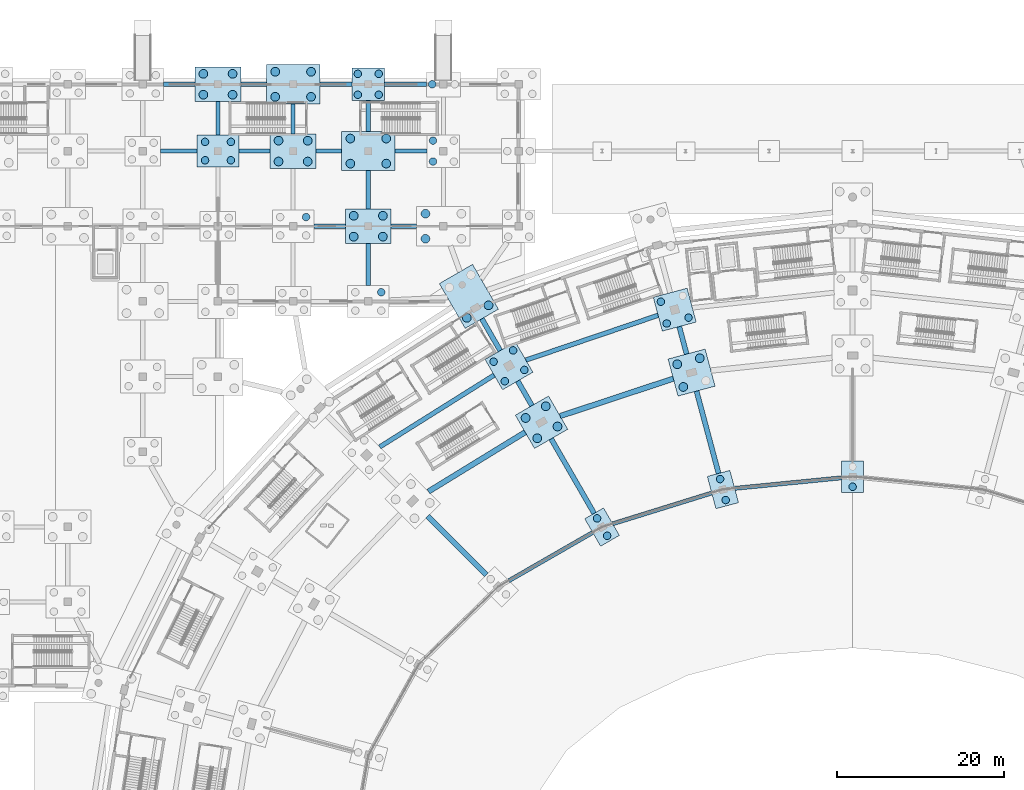
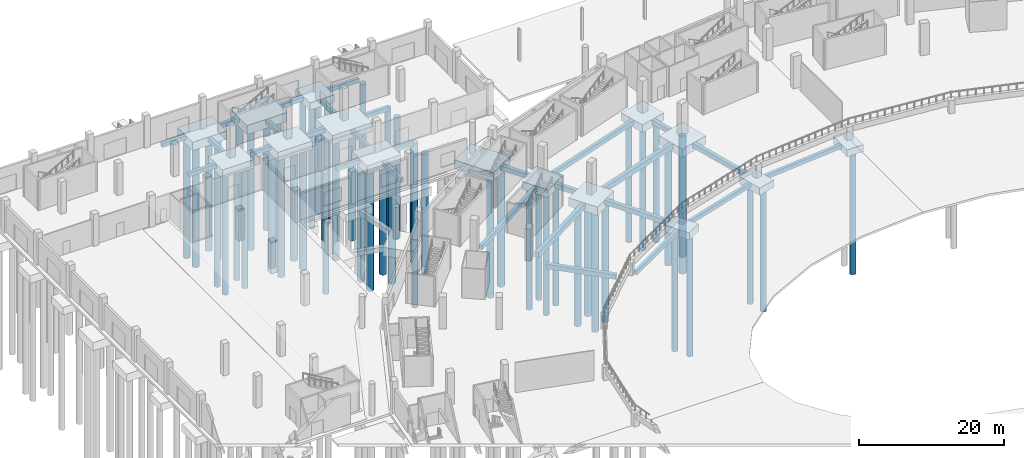
# One storey, part 11 of 103: 56 piles, 43 footings.
"""IFC4 building model written with IfcOpenShell, lengths in metres."""

from ifc_helpers import new_model, si_unit, direction, frame, origin, origin_2d, place, context, subcontext, project, spatial, rectangle, circle, extrude, material, material_profile, profile_set, type_object, element, save


model = new_model("IFC4")

# Units and contexts
model_context = context("Model", 3, precision=1e-05, world=origin(), true_north=direction((0.0, 1.0)))
body_context = subcontext(model_context, "Body", "Model", "MODEL_VIEW")
ifc_project = project(units=[si_unit("LENGTHUNIT", "METRE"), si_unit("AREAUNIT", "SQUARE_METRE"), si_unit("VOLUMEUNIT", "CUBIC_METRE"), si_unit("PLANEANGLEUNIT", "RADIAN"), si_unit("MASSUNIT", "GRAM", prefix="KILO")], contexts=[model_context])

# Site, building, storey
site_placement = place(None, origin())
site = spatial("IfcSite", under=ifc_project, at=site_placement, CompositionType="ELEMENT")
building_placement = place(site_placement, origin())
building = spatial("IfcBuilding", under=site, at=building_placement, Name="Zevraka Park Crest Stadium", CompositionType="ELEMENT")
storey_placement = place(building_placement, origin())
storey = spatial("IfcBuildingStorey", under=building, at=storey_placement, Name="L00", CompositionType="ELEMENT", Elevation=0.0)

# Footings
ifc_material_1 = material(Name="Concrete C35/45", Category="concrete")
ifc_material_profile_1 = material_profile(ifc_material_1, rectangle(XDim=0.60009765625, YDim=0.800048828125, at=origin_2d()), Name="GB 800x600")
ifc_profile_set_1 = profile_set([ifc_material_profile_1], Name="Concrete C35/45")
footing_type_1 = type_object("IfcFootingType", Name="GB01", PredefinedType="FOOTING_BEAM", material=ifc_profile_set_1)
footing_1_placement = place(storey_placement, frame((95.952880859375, 137.39892578125, -0.75), z_axis=(-0.258823026795, 0.965924759389, 0.0), x_axis=(-0.965924759389, -0.258823026795, 0.0)))
element("IfcFooting", 1, at=footing_1_placement, inside=storey, type_object=footing_type_1, Name="Ground Tie Beam GB01 RAD-AB-07", PredefinedType="FOOTING_BEAM", context=body_context, shape_type="SweptSolid", body=[
    extrude(rectangle(XDim=0.60009765625, YDim=0.800048828125, at=origin_2d()), origin(), (0.0, 0.0, 1.0), 10.19970703125),
])
footing_2_placement = place(storey_placement, frame((92.123046875, 151.695068359375, -0.75), z_axis=(-0.258873676752, 0.965911186127, 0.0), x_axis=(-0.965911186127, -0.258873676752, 0.0)))
element("IfcFooting", 2, at=footing_2_placement, inside=storey, type_object=footing_type_1, Name="Ground Tie Beam GB01 RAD-BC-07", PredefinedType="FOOTING_BEAM", context=body_context, shape_type="SweptSolid", body=[
    extrude(rectangle(XDim=0.60009765625, YDim=0.800048828125, at=origin_2d()), origin(), (0.0, 0.0, 1.0), 3.39990234375),
])
footing_3_placement = place(storey_placement, frame((81.050048828125, 132.615966796875, -0.75), z_axis=(-0.499965227428, 0.866045478808, 0.0), x_axis=(-0.866045478808, -0.499965227428, 0.0)))
element("IfcFooting", 3, at=footing_3_placement, inside=storey, type_object=footing_type_1, Name="Ground Tie Beam GB01 RAD-AB-08", PredefinedType="FOOTING_BEAM", context=body_context, shape_type="SweptSolid", body=[
    extrude(rectangle(XDim=0.60009765625, YDim=0.800048828125, at=origin_2d()), origin(), (0.0, 0.0, 1.0), 10.301025390625),
])
footing_4_placement = place(storey_placement, frame((73.60009765625, 145.52099609375, -0.75), z_axis=(-0.500093339322, 0.865971507594, 0.0), x_axis=(-0.865971507594, -0.500093339322, 0.0)))
element("IfcFooting", 4, at=footing_4_placement, inside=storey, type_object=footing_type_1, Name="Ground Tie Beam GB01 RAD-BC-08", PredefinedType="FOOTING_BEAM", context=body_context, shape_type="SweptSolid", body=[
    extrude(rectangle(XDim=0.60009765625, YDim=0.800048828125, at=origin_2d()), origin(), (0.0, 0.0, 1.0), 3.399658203125),
])
footing_5_placement = place(storey_placement, frame((69.800048828125, 152.10302734375, -0.75), z_axis=(-0.500036278648, 0.866004457284, 0.0), x_axis=(-0.866004457284, -0.500036278648, 0.0)))
element("IfcFooting", 5, at=footing_5_placement, inside=storey, type_object=footing_type_1, Name="Ground Tie Beam GB01 RAD-CDE-08", PredefinedType="FOOTING_BEAM", context=body_context, shape_type="SweptSolid", body=[
    extrude(rectangle(XDim=0.60009765625, YDim=0.800048828125, at=origin_2d()), origin(), (0.0, 0.0, 1.0), 4.399658203125),
])
footing_6_placement = place(storey_placement, frame((68.159912109375, 125.23388671875, -0.75), z_axis=(-0.707094513227, 0.707119048933, 0.0), x_axis=(-0.707119048933, -0.707094513227, 0.0)))
element("IfcFooting", 6, at=footing_6_placement, inside=storey, type_object=footing_type_1, Name="Ground Tie Beam GB01 RAD-AB-09", PredefinedType="FOOTING_BEAM", context=body_context, shape_type="SweptSolid", body=[
    extrude(rectangle(XDim=0.60009765625, YDim=0.800048828125, at=origin_2d()), origin(), (0.0, 0.0, 1.0), 9.950439453125),
])
ifc_material_2 = material(Name="Concrete C35/45", Category="concrete")
ifc_material_profile_2 = material_profile(ifc_material_2, rectangle(XDim=0.5, YDim=0.699951171875, at=origin_2d()), Name="GB 700x500")
ifc_profile_set_2 = profile_set([ifc_material_profile_2], Name="Concrete C35/45")
footing_type_2 = type_object("IfcFootingType", Name="GB02", PredefinedType="FOOTING_BEAM", material=ifc_profile_set_2)
footing_7_placement = place(storey_placement, frame((110.699951171875, 136.8720703125, -0.699951171875), z_axis=(-0.99515621208, -0.098306223396, 0.0), x_axis=(0.098306223396, -0.99515621208, 0.0)))
element("IfcFooting", 7, at=footing_7_placement, inside=storey, type_object=footing_type_2, Name="Ground Tie Beam GB02 CIR-A-06", PredefinedType="FOOTING_BEAM", context=body_context, shape_type="SweptSolid", body=[
    extrude(rectangle(XDim=0.5, YDim=0.699951171875, at=origin_2d()), origin(), (0.0, 0.0, 1.0), 12.87939453125),
])
footing_8_placement = place(storey_placement, frame((95.133056640625, 135.051025390625, -0.699951171875), z_axis=(-0.954965260776, -0.296717627908, 0.0), x_axis=(0.296717627908, -0.954965260776, 0.0)))
element("IfcFooting", 8, at=footing_8_placement, inside=storey, type_object=footing_type_2, Name="Ground Tie Beam GB02 CIR-A-07", PredefinedType="FOOTING_BEAM", context=body_context, shape_type="SweptSolid", body=[
    extrude(rectangle(XDim=0.5, YDim=0.699951171875, at=origin_2d()), origin(), (0.0, 0.0, 1.0), 12.41943359375),
])
footing_9_placement = place(storey_placement, frame((80.873046875, 130.322998046875, -0.699951171875), z_axis=(-0.866686781199, -0.498852707014, 0.0), x_axis=(0.498852707014, -0.866686781199, 0.0)))
element("IfcFooting", 9, at=footing_9_placement, inside=storey, type_object=footing_type_2, Name="Ground Tie Beam GB02 CIR-A-08", PredefinedType="FOOTING_BEAM", context=body_context, shape_type="SweptSolid", body=[
    extrude(rectangle(XDim=0.5, YDim=0.699951171875, at=origin_2d()), origin(), (0.0, 0.0, 1.0), 11.586669921875),
])
footing_10_placement = place(storey_placement, frame((29.125, 176.0, -0.699951171875), z_axis=(1.0, 0.0, 0.0), x_axis=(0.0, 1.0, 0.0)))
element("IfcFooting", 10, at=footing_10_placement, inside=storey, type_object=footing_type_2, Name="Ground Tie Beam GB02 WX-4-V", PredefinedType="FOOTING_BEAM", context=body_context, shape_type="SweptSolid", body=[
    extrude(rectangle(XDim=0.5, YDim=0.699951171875, at=origin_2d()), origin(), (0.0, 0.0, 1.0), 4.375),
])
for number, where, z_axis, x_axis, name in (
    (11, (29.5, 184.0, -0.699951171875), (1.0, 0.0, 0.0), (0.0, 1.0, 0.0), "Ground Tie Beam GB02 WX-4-W"),
    (12, (38.5, 176.0, -0.699951171875), (1.0, 0.0, 0.0), (0.0, 1.0, 0.0), "Ground Tie Beam GB02 WX-5-V"),
):
    element("IfcFooting", number, at=place(storey_placement, frame(where, z_axis=z_axis, x_axis=x_axis)), inside=storey, type_object=footing_type_2, Name=name, PredefinedType="FOOTING_BEAM", context=body_context, shape_type="SweptSolid", body=[
        extrude(rectangle(XDim=0.5, YDim=0.699951171875, at=origin_2d()), origin(), (0.0, 0.0, 1.0), 3.75),
    ])
footing_11_placement = place(storey_placement, frame((36.0, 177.925048828125, -0.699951171875), z_axis=(0.0, 1.0, 0.0), x_axis=(-1.0, 0.0, 0.0)))
element("IfcFooting", 13, at=footing_11_placement, inside=storey, type_object=footing_type_2, Name="Ground Tie Beam GB02 WY-5-V", PredefinedType="FOOTING_BEAM", context=body_context, shape_type="SweptSolid", body=[
    extrude(rectangle(XDim=0.5, YDim=0.699951171875, at=origin_2d()), origin(), (0.0, 0.0, 1.0), 4.0),
])
footing_12_placement = place(storey_placement, frame((38.75, 184.0, -0.699951171875), z_axis=(1.0, 0.0, 0.0), x_axis=(0.0, 1.0, 0.0)))
element("IfcFooting", 14, at=footing_12_placement, inside=storey, type_object=footing_type_2, Name="Ground Tie Beam GB02 WX-5-W", PredefinedType="FOOTING_BEAM", context=body_context, shape_type="SweptSolid", body=[
    extrude(rectangle(XDim=0.5, YDim=0.699951171875, at=origin_2d()), origin(), (0.0, 0.0, 1.0), 3.050048828125),
])
footing_13_placement = place(storey_placement, frame((47.5, 167.0, -0.699951171875), z_axis=(1.0, 0.0, 0.0), x_axis=(0.0, 1.0, 0.0)))
element("IfcFooting", 15, at=footing_13_placement, inside=storey, type_object=footing_type_2, Name="Ground Tie Beam GB02 WX-6-U", PredefinedType="FOOTING_BEAM", context=body_context, shape_type="SweptSolid", body=[
    extrude(rectangle(XDim=0.5, YDim=0.699951171875, at=origin_2d()), origin(), (0.0, 0.0, 1.0), 3.75),
])
footing_14_placement = place(storey_placement, frame((47.75, 176.0, -0.699951171875), z_axis=(1.0, 0.0, 0.0), x_axis=(0.0, 1.0, 0.0)))
element("IfcFooting", 16, at=footing_14_placement, inside=storey, type_object=footing_type_2, Name="Ground Tie Beam GB02 WX-6-V", PredefinedType="FOOTING_BEAM", context=body_context, shape_type="SweptSolid", body=[
    extrude(rectangle(XDim=0.5, YDim=0.699951171875, at=origin_2d()), origin(), (0.0, 0.0, 1.0), 3.050048828125),
])
footing_15_placement = place(storey_placement, frame((45.0, 178.074951171875, -0.699951171875), z_axis=(0.0, 1.0, 0.0), x_axis=(-1.0, 0.0, 0.0)))
element("IfcFooting", 17, at=footing_15_placement, inside=storey, type_object=footing_type_2, Name="Ground Tie Beam GB02 WY-6-V", PredefinedType="FOOTING_BEAM", context=body_context, shape_type="SweptSolid", body=[
    extrude(rectangle(XDim=0.5, YDim=0.699951171875, at=origin_2d()), origin(), (0.0, 0.0, 1.0), 3.574951171875),
])
footing_16_placement = place(storey_placement, frame((48.199951171875, 184.0, -0.699951171875), z_axis=(1.0, 0.0, 0.0), x_axis=(0.0, 1.0, 0.0)))
element("IfcFooting", 18, at=footing_16_placement, inside=storey, type_object=footing_type_2, Name="Ground Tie Beam GB02 WX-6-W", PredefinedType="FOOTING_BEAM", context=body_context, shape_type="SweptSolid", body=[
    extrude(rectangle(XDim=0.5, YDim=0.699951171875, at=origin_2d()), origin(), (0.0, 0.0, 1.0), 3.85009765625),
])
footing_17_placement = place(storey_placement, frame((54.0, 159.925048828125, -0.699951171875), z_axis=(0.0, 1.0, 0.0), x_axis=(-1.0, 0.0, 0.0)))
element("IfcFooting", 19, at=footing_17_placement, inside=storey, type_object=footing_type_2, Name="Ground Tie Beam GB02 WY-7-T", PredefinedType="FOOTING_BEAM", context=body_context, shape_type="SweptSolid", body=[
    extrude(rectangle(XDim=0.5, YDim=0.699951171875, at=origin_2d()), origin(), (0.0, 0.0, 1.0), 5.0),
])
footing_18_placement = place(storey_placement, frame((56.75, 167.0, -0.699951171875), z_axis=(1.0, 0.0, 0.0), x_axis=(0.0, 1.0, 0.0)))
element("IfcFooting", 20, at=footing_18_placement, inside=storey, type_object=footing_type_2, Name="Ground Tie Beam GB02 WX-7-U", PredefinedType="FOOTING_BEAM", context=body_context, shape_type="SweptSolid", body=[
    extrude(rectangle(XDim=0.5, YDim=0.699951171875, at=origin_2d()), origin(), (0.0, 0.0, 1.0), 3.050048828125),
])
footing_19_placement = place(storey_placement, frame((54.0, 169.074951171875, -0.699951171875), z_axis=(0.0, 1.0, 0.0), x_axis=(-1.0, 0.0, 0.0)))
element("IfcFooting", 21, at=footing_19_placement, inside=storey, type_object=footing_type_2, Name="Ground Tie Beam GB02 WY-7-U", PredefinedType="FOOTING_BEAM", context=body_context, shape_type="SweptSolid", body=[
    extrude(rectangle(XDim=0.5, YDim=0.699951171875, at=origin_2d()), origin(), (0.0, 0.0, 1.0), 4.574951171875),
])
footing_20_placement = place(storey_placement, frame((57.199951171875, 176.0, -0.699951171875), z_axis=(1.0, 0.0, 0.0), x_axis=(0.0, 1.0, 0.0)))
element("IfcFooting", 22, at=footing_20_placement, inside=storey, type_object=footing_type_2, Name="Ground Tie Beam GB02 WX-7-V", PredefinedType="FOOTING_BEAM", context=body_context, shape_type="SweptSolid", body=[
    extrude(rectangle(XDim=0.5, YDim=0.699951171875, at=origin_2d()), origin(), (0.0, 0.0, 1.0), 3.85009765625),
])
footing_21_placement = place(storey_placement, frame((54.0, 178.35009765625, -0.699951171875), z_axis=(0.0, 1.0, 0.0), x_axis=(-1.0, 0.0, 0.0)))
element("IfcFooting", 23, at=footing_21_placement, inside=storey, type_object=footing_type_2, Name="Ground Tie Beam GB02 WY-7-V", PredefinedType="FOOTING_BEAM", context=body_context, shape_type="SweptSolid", body=[
    extrude(rectangle(XDim=0.5, YDim=0.699951171875, at=origin_2d()), origin(), (0.0, 0.0, 1.0), 3.699951171875),
])
footing_22_placement = place(storey_placement, frame((55.949951171875, 184.0, -0.699951171875), z_axis=(1.0, 0.0, 0.0), x_axis=(0.0, 1.0, 0.0)))
element("IfcFooting", 24, at=footing_22_placement, inside=storey, type_object=footing_type_2, Name="Ground Tie Beam GB02 WX-7-W", PredefinedType="FOOTING_BEAM", context=body_context, shape_type="SweptSolid", body=[
    extrude(rectangle(XDim=0.5, YDim=0.699951171875, at=origin_2d()), origin(), (0.0, 0.0, 1.0), 5.0),
])
ifc_material_3 = material(Name="Concrete C35/45", Category="concrete")
ifc_material_profile_3 = material_profile(ifc_material_3, rectangle(XDim=0.64990234375, YDim=0.89990234375, at=origin_2d()), Name="GB 900x650")
ifc_profile_set_3 = profile_set([ifc_material_profile_3], Name="Concrete C35/45")
footing_type_3 = type_object("IfcFootingType", Name="GB03", PredefinedType="FOOTING_BEAM", material=ifc_profile_set_3)
footing_23_placement = place(storey_placement, frame((90.531005859375, 148.7490234375, -0.800048828125), z_axis=(-0.94941794929, -0.314015218684, 0.0), x_axis=(0.314015218684, -0.94941794929, 0.0)))
element("IfcFooting", 25, at=footing_23_placement, inside=storey, type_object=footing_type_3, Name="Ground Tie Beam GB03 CIR-B-07", PredefinedType="FOOTING_BEAM", context=body_context, shape_type="SweptSolid", body=[
    extrude(rectangle(XDim=0.64990234375, YDim=0.89990234375, at=origin_2d()), origin(), (0.0, 0.0, 1.0), 14.27294921875),
])
footing_24_placement = place(storey_placement, frame((72.7880859375, 142.326904296875, -0.800048828125), z_axis=(-0.852594278308, -0.522573436559, 0.0), x_axis=(0.522573436559, -0.852594278308, 0.0)))
element("IfcFooting", 26, at=footing_24_placement, inside=storey, type_object=footing_type_3, Name="Ground Tie Beam GB03 CIR-B-08", PredefinedType="FOOTING_BEAM", context=body_context, shape_type="SweptSolid", body=[
    extrude(rectangle(XDim=0.64990234375, YDim=0.89990234375, at=origin_2d()), origin(), (0.0, 0.0, 1.0), 13.58447265625),
])
ifc_material_4 = material(Name="Concrete C35/45", Category="concrete")
ifc_material_profile_4 = material_profile(ifc_material_4, rectangle(XDim=0.550048828125, YDim=0.75, at=origin_2d()), Name="GB 750x550")
ifc_profile_set_4 = profile_set([ifc_material_profile_4], Name="Concrete C35/45")
footing_type_4 = type_object("IfcFootingType", Name="GB04", PredefinedType="FOOTING_BEAM", material=ifc_profile_set_4)
footing_25_placement = place(storey_placement, frame((88.7060546875, 156.33203125, -0.72509765625), z_axis=(-0.947145577983, -0.32080407433, 0.0), x_axis=(0.32080407433, -0.947145577983, 0.0)))
element("IfcFooting", 27, at=footing_25_placement, inside=storey, type_object=footing_type_4, Name="Ground Tie Beam GB04 CIR-C-07", PredefinedType="FOOTING_BEAM", context=body_context, shape_type="SweptSolid", body=[
    extrude(rectangle(XDim=0.550048828125, YDim=0.75, at=origin_2d()), origin(), (0.0, 0.0, 1.0), 16.71142578125),
])
footing_26_placement = place(storey_placement, frame((69.070068359375, 149.1669921875, -0.72509765625), z_axis=(-0.847033648329, -0.531539272865, 0.0), x_axis=(0.531539272865, -0.847033648329, 0.0)))
element("IfcFooting", 28, at=footing_26_placement, inside=storey, type_object=footing_type_4, Name="Ground Tie Beam GB04 CIR-C-08", PredefinedType="FOOTING_BEAM", context=body_context, shape_type="SweptSolid", body=[
    extrude(rectangle(XDim=0.550048828125, YDim=0.75, at=origin_2d()), origin(), (0.0, 0.0, 1.0), 16.175537109375),
])
ifc_material_5 = material(Name="Concrete C35/45", Category="concrete")
footing_type_5 = type_object("IfcFootingType", Name="PC01", PredefinedType="PILE_CAP", material=ifc_material_5)
for number, where, z_axis, x_axis, name in (
    (29, (112.0, 137.0, -1.5498046875), (0.0, 0.0, 1.0), (0.0, 1.0, 0.0), "Foundation PC01 A-06"),
    (30, (82.0, 130.970947265625, -1.5498046875), (0.0, 0.0, 1.0), (-0.5, 0.866025403784, 0.0), "Foundation PC01 A-08"),
):
    element("IfcFooting", number, at=place(storey_placement, frame(where, z_axis=z_axis, x_axis=x_axis)), inside=storey, type_object=footing_type_5, Name=name, PredefinedType="PILE_CAP", context=body_context, shape_type="SweptSolid", body=[
        extrude(rectangle(XDim=3.800048828125, YDim=2.60009765625, at=origin_2d()), origin(), (0.0, 0.0, 1.0), 1.199951171875),
    ])
ifc_material_6 = material(Name="Concrete C35/45", Category="concrete")
footing_type_6 = type_object("IfcFootingType", Name="PC02", PredefinedType="PILE_CAP", material=ifc_material_6)
footing_27_placement = place(storey_placement, frame((96.470947265625, 135.467041015625, -1.60009765625), z_axis=(0.0, 0.0, 1.0), x_axis=(-0.258819045103, 0.965925826289, 0.0)))
element("IfcFooting", 31, at=footing_27_placement, inside=storey, type_object=footing_type_6, Name="Foundation PC02 A-07", PredefinedType="PILE_CAP", context=body_context, shape_type="SweptSolid", body=[
    extrude(rectangle(XDim=4.0, YDim=2.800048828125, at=origin_2d()), origin(), (0.0, 0.0, 1.0), 1.25),
])
ifc_material_7 = material(Name="Concrete C35/45", Category="concrete")
footing_type_7 = type_object("IfcFootingType", Name="PC03", PredefinedType="PILE_CAP", material=ifc_material_7)
for number, where, z_axis, x_axis, name in (
    (32, (92.718017578125, 149.472900390625, -1.75), (0.0, 0.0, 1.0), (-0.258819045103, 0.965925826289, 0.0), "Foundation PC03 B-07"),
    (33, (74.75, 143.529052734375, -1.75), (0.0, 0.0, 1.0), (-0.5, 0.866025403784, 0.0), "Foundation PC03 B-08"),
):
    element("IfcFooting", number, at=place(storey_placement, frame(where, z_axis=z_axis, x_axis=x_axis)), inside=storey, type_object=footing_type_7, Name=name, PredefinedType="PILE_CAP", context=body_context, shape_type="SweptSolid", body=[
        extrude(rectangle(XDim=4.60009765625, YDim=4.60009765625, at=origin_2d()), origin(), (0.0, 0.0, 1.0), 1.39990234375),
    ])
ifc_material_8 = material(Name="Concrete C35/45", Category="concrete")
footing_type_8 = type_object("IfcFootingType", Name="PC05", PredefinedType="PILE_CAP", material=ifc_material_8)
for number, where, z_axis, x_axis, name in (
    (34, (90.698974609375, 157.007080078125, -1.64990234375), (0.0, 0.0, 1.0), (-0.258819045103, 0.965925826289, 0.0), "Foundation PC05 C-07"),
    (35, (70.85009765625, 150.283935546875, -1.64990234375), (0.0, 0.0, 1.0), (-0.5, 0.866025403784, 0.0), "Foundation PC05 C-08"),
):
    element("IfcFooting", number, at=place(storey_placement, frame(where, z_axis=z_axis, x_axis=x_axis)), inside=storey, type_object=footing_type_8, Name=name, PredefinedType="PILE_CAP", context=body_context, shape_type="SweptSolid", body=[
        extrude(rectangle(XDim=4.199951171875, YDim=4.199951171875, at=origin_2d()), origin(), (0.0, 0.0, 1.0), 1.300048828125),
    ])
ifc_material_9 = material(Name="Concrete C35/45", Category="concrete")
footing_type_9 = type_object("IfcFootingType", Name="PC07", PredefinedType="PILE_CAP", material=ifc_material_9)
footing_28_placement = place(storey_placement, frame((66.050048828125, 158.597900390625, -1.7998046875), z_axis=(0.0, 0.0, 1.0), x_axis=(-0.5, 0.866025403784, 0.0)))
element("IfcFooting", 36, at=footing_28_placement, inside=storey, type_object=footing_type_9, Name="Foundation PC07 DE-08", PredefinedType="PILE_CAP", context=body_context, shape_type="SweptSolid", body=[
    extrude(rectangle(XDim=6.199951171875, YDim=4.60009765625, at=origin_2d()), origin(), (0.0, 0.0, 1.0), 1.449951171875),
])
ifc_material_10 = material(Name="Concrete C35/45", Category="concrete")
footing_type_10 = type_object("IfcFootingType", Name="PC09", PredefinedType="PILE_CAP", material=ifc_material_10)
footing_29_placement = place(storey_placement, frame((54.0, 184.0, -1.60009765625), z_axis=(0.0, 0.0, 1.0), x_axis=(1.0, 0.0, 0.0)))
element("IfcFooting", 37, at=footing_29_placement, inside=storey, type_object=footing_type_10, Name="Foundation PC09 W-7-W", PredefinedType="PILE_CAP", context=body_context, shape_type="SweptSolid", body=[
    extrude(rectangle(XDim=3.89990234375, YDim=3.89990234375, at=origin_2d()), origin(), (0.0, 0.0, 1.0), 1.25),
])
ifc_material_11 = material(Name="Concrete C35/45", Category="concrete")
footing_type_11 = type_object("IfcFootingType", Name="PC22", PredefinedType="PILE_CAP", material=ifc_material_11)
footing_30_placement = place(storey_placement, frame((36.0, 176.0, -1.7099609375), z_axis=(0.0, 0.0, 1.0), x_axis=(1.0, 0.0, 0.0)))
element("IfcFooting", 38, at=footing_30_placement, inside=storey, type_object=footing_type_11, Name="Foundation PC22 W-5-V", PredefinedType="PILE_CAP", context=body_context, shape_type="SweptSolid", body=[
    extrude(rectangle(XDim=5.0, YDim=3.85009765625, at=origin_2d()), origin(), (0.0, 0.0, 1.0), 1.360107421875),
])
ifc_material_12 = material(Name="Concrete C35/45", Category="concrete")
footing_type_12 = type_object("IfcFootingType", Name="PC23", PredefinedType="PILE_CAP", material=ifc_material_12)
for number, where, z_axis, x_axis, name in (
    (39, (36.0, 184.0, -1.77001953125), (0.0, 0.0, 1.0), (1.0, 0.0, 0.0), "Foundation PC23 W-5-W"),
    (40, (45.0, 176.0, -1.77001953125), (0.0, 0.0, 1.0), (1.0, 0.0, 0.0), "Foundation PC23 W-6-V"),
    (41, (54.0, 167.0, -1.77001953125), (0.0, 0.0, 1.0), (1.0, 0.0, 0.0), "Foundation PC23 W-7-U"),
):
    element("IfcFooting", number, at=place(storey_placement, frame(where, z_axis=z_axis, x_axis=x_axis)), inside=storey, type_object=footing_type_12, Name=name, PredefinedType="PILE_CAP", context=body_context, shape_type="SweptSolid", body=[
        extrude(rectangle(XDim=5.5, YDim=4.14990234375, at=origin_2d()), origin(), (0.0, 0.0, 1.0), 1.419921875),
    ])
ifc_material_13 = material(Name="Concrete C35/45", Category="concrete")
footing_type_13 = type_object("IfcFootingType", Name="PC24", PredefinedType="PILE_CAP", material=ifc_material_13)
for number, where, z_axis, x_axis, name in (
    (42, (45.0, 184.0, -1.8701171875), (0.0, 0.0, 1.0), (1.0, 0.0, 0.0), "Foundation PC24 W-6-W"),
    (43, (54.0, 176.0, -1.8701171875), (0.0, 0.0, 1.0), (1.0, 0.0, 0.0), "Foundation PC24 W-7-V"),
):
    element("IfcFooting", number, at=place(storey_placement, frame(where, z_axis=z_axis, x_axis=x_axis)), inside=storey, type_object=footing_type_13, Name=name, PredefinedType="PILE_CAP", context=body_context, shape_type="SweptSolid", body=[
        extrude(rectangle(XDim=6.39990234375, YDim=4.699951171875, at=origin_2d()), origin(), (0.0, 0.0, 1.0), 1.52001953125),
    ])

# Piles
ifc_material_14 = material(Name="Concrete C35/45", Category="concrete")
ifc_material_profile_5 = material_profile(ifc_material_14, circle(Radius=0.449951171875, at=origin_2d()), Name="PILE D900")
ifc_profile_set_5 = profile_set([ifc_material_profile_5], Name="Concrete C35/45")
pile_type_1 = type_object("IfcPileType", Name="PL01", PredefinedType="BORED", material=ifc_profile_set_5)
pile_1_placement = place(storey_placement, frame((112.0, 135.800048828125, -1.449951171875), z_axis=(0.0, 0.0, -1.0), x_axis=(1.0, 0.0, 0.0)))
element("IfcPile", 44, at=pile_1_placement, inside=storey, type_object=pile_type_1, Name="Bored Pile PL01 A-06-1", PredefinedType="BORED", context=body_context, shape_type="SweptSolid", body=[
    extrude(circle(Radius=0.449951171875, at=origin_2d()), origin(), (0.0, 0.0, 1.0), 20.550048828125),
])
for number, where, z_axis, x_axis, name in (
    (45, (96.806884765625, 134.2109375, -1.5), (0.0, 0.0, -1.0), (1.0, 0.0, 0.0), "Bored Pile PL01 A-07-1"),
    (46, (96.135009765625, 136.722900390625, -1.5), (0.0, 0.0, -1.0), (1.0, 0.0, 0.0), "Bored Pile PL01 A-07-2"),
):
    element("IfcPile", number, at=place(storey_placement, frame(where, z_axis=z_axis, x_axis=x_axis)), inside=storey, type_object=pile_type_1, Name=name, PredefinedType="BORED", context=body_context, shape_type="SweptSolid", body=[
        extrude(circle(Radius=0.449951171875, at=origin_2d()), origin(), (0.0, 0.0, 1.0), 20.5),
    ])
for number, where, z_axis, x_axis, name in (
    (47, (92.35205078125, 156.052001953125, -1.550048828125), (0.0, 0.0, -1.0), (1.0, 0.0, 0.0), "Bored Pile PL01 C-07-1"),
    (48, (89.743896484375, 155.35400390625, -1.550048828125), (0.0, 0.0, -1.0), (1.0, 0.0, 0.0), "Bored Pile PL01 C-07-3"),
    (49, (89.0458984375, 157.9619140625, -1.550048828125), (0.0, 0.0, -1.0), (1.0, 0.0, 0.0), "Bored Pile PL01 C-07-4"),
):
    element("IfcPile", number, at=place(storey_placement, frame(where, z_axis=z_axis, x_axis=x_axis)), inside=storey, type_object=pile_type_1, Name=name, PredefinedType="BORED", context=body_context, shape_type="SweptSolid", body=[
        extrude(circle(Radius=0.449951171875, at=origin_2d()), origin(), (0.0, 0.0, 1.0), 20.449951171875),
    ])
for number, where, z_axis, x_axis, name in (
    (50, (82.60009765625, 129.931884765625, -1.449951171875), (0.0, 0.0, -1.0), (1.0, 0.0, 0.0), "Bored Pile PL01 A-08-1"),
    (51, (81.39990234375, 132.010009765625, -1.449951171875), (0.0, 0.0, -1.0), (1.0, 0.0, 0.0), "Bored Pile PL01 A-08-2"),
):
    element("IfcPile", number, at=place(storey_placement, frame(where, z_axis=z_axis, x_axis=x_axis)), inside=storey, type_object=pile_type_1, Name=name, PredefinedType="BORED", context=body_context, shape_type="SweptSolid", body=[
        extrude(circle(Radius=0.449951171875, at=origin_2d()), origin(), (0.0, 0.0, 1.0), 20.550048828125),
    ])
for number, where, z_axis, x_axis, name in (
    (52, (72.694091796875, 149.7900390625, -1.550048828125), (0.0, 0.0, -1.0), (1.0, 0.0, 0.0), "Bored Pile PL01 C-08-1"),
    (53, (71.343994140625, 152.1279296875, -1.550048828125), (0.0, 0.0, -1.0), (1.0, 0.0, 0.0), "Bored Pile PL01 C-08-2"),
    (54, (70.35595703125, 148.43994140625, -1.550048828125), (0.0, 0.0, -1.0), (1.0, 0.0, 0.0), "Bored Pile PL01 C-08-3"),
    (55, (69.006103515625, 150.778076171875, -1.550048828125), (0.0, 0.0, -1.0), (1.0, 0.0, 0.0), "Bored Pile PL01 C-08-4"),
):
    element("IfcPile", number, at=place(storey_placement, frame(where, z_axis=z_axis, x_axis=x_axis)), inside=storey, type_object=pile_type_1, Name=name, PredefinedType="BORED", context=body_context, shape_type="SweptSolid", body=[
        extrude(circle(Radius=0.449951171875, at=origin_2d()), origin(), (0.0, 0.0, 1.0), 20.449951171875),
    ])
for number, where, z_axis, x_axis, name in (
    (56, (34.449951171875, 174.89990234375, -1.610107421875), (0.0, 0.0, -1.0), (1.0, 0.0, 0.0), "Bored Pile PL01 W-5-V-1"),
    (57, (37.550048828125, 174.89990234375, -1.610107421875), (0.0, 0.0, -1.0), (1.0, 0.0, 0.0), "Bored Pile PL01 W-5-V-2"),
    (58, (34.449951171875, 177.10009765625, -1.610107421875), (0.0, 0.0, -1.0), (1.0, 0.0, 0.0), "Bored Pile PL01 W-5-V-3"),
    (59, (37.550048828125, 177.10009765625, -1.610107421875), (0.0, 0.0, -1.0), (1.0, 0.0, 0.0), "Bored Pile PL01 W-5-V-4"),
    (60, (46.550048828125, 168.10009765625, -1.610107421875), (0.0, 0.0, -1.0), (1.0, 0.0, 0.0), "Bored Pile PL01 W-6-U-4"),
    (61, (55.550048828125, 159.10009765625, -1.610107421875), (0.0, 0.0, -1.0), (1.0, 0.0, 0.0), "Bored Pile PL01 W-7-T-4"),
):
    element("IfcPile", number, at=place(storey_placement, frame(where, z_axis=z_axis, x_axis=x_axis)), inside=storey, type_object=pile_type_1, Name=name, PredefinedType="BORED", context=body_context, shape_type="SweptSolid", body=[
        extrude(circle(Radius=0.449951171875, at=origin_2d()), origin(), (0.0, 0.0, 1.0), 20.389892578125),
    ])
for number, where, z_axis, x_axis, name in (
    (62, (52.75, 182.75, -1.5), (0.0, 0.0, -1.0), (1.0, 0.0, 0.0), "Bored Pile PL01 W-7-W-1"),
    (63, (55.25, 182.75, -1.5), (0.0, 0.0, -1.0), (1.0, 0.0, 0.0), "Bored Pile PL01 W-7-W-2"),
    (64, (52.75, 185.25, -1.5), (0.0, 0.0, -1.0), (1.0, 0.0, 0.0), "Bored Pile PL01 W-7-W-3"),
    (65, (55.25, 185.25, -1.5), (0.0, 0.0, -1.0), (1.0, 0.0, 0.0), "Bored Pile PL01 W-7-W-4"),
    (66, (61.75, 174.75, -1.5), (0.0, 0.0, -1.0), (1.0, 0.0, 0.0), "Bored Pile PL01 W-8-V-1"),
    (67, (61.75, 177.25, -1.5), (0.0, 0.0, -1.0), (1.0, 0.0, 0.0), "Bored Pile PL01 W-8-V-3"),
):
    element("IfcPile", number, at=place(storey_placement, frame(where, z_axis=z_axis, x_axis=x_axis)), inside=storey, type_object=pile_type_1, Name=name, PredefinedType="BORED", context=body_context, shape_type="SweptSolid", body=[
        extrude(circle(Radius=0.449951171875, at=origin_2d()), origin(), (0.0, 0.0, 1.0), 20.5),
    ])
pile_2_placement = place(storey_placement, frame((61.64990234375, 184.0, -1.449951171875), z_axis=(0.0, 0.0, -1.0), x_axis=(1.0, 0.0, 0.0)))
element("IfcPile", 68, at=pile_2_placement, inside=storey, type_object=pile_type_1, Name="Bored Pile PL01 W-8-W-1", PredefinedType="BORED", context=body_context, shape_type="SweptSolid", body=[
    extrude(circle(Radius=0.449951171875, at=origin_2d()), origin(), (0.0, 0.0, 1.0), 20.550048828125),
])
ifc_material_15 = material(Name="Concrete C35/45", Category="concrete")
ifc_material_profile_6 = material_profile(ifc_material_15, circle(Radius=0.52490234375, at=origin_2d()), Name="PILE D1050")
ifc_profile_set_6 = profile_set([ifc_material_profile_6], Name="Concrete C35/45")
pile_type_2 = type_object("IfcPileType", Name="PL02", PredefinedType="BORED", material=ifc_profile_set_6)
for number, where, z_axis, x_axis, name in (
    (69, (93.7080078125, 151.18798828125, -1.64990234375), (0.0, 0.0, -1.0), (1.0, 0.0, 0.0), "Bored Pile PL02 B-07-2"),
    (70, (91.72802734375, 147.758056640625, -1.64990234375), (0.0, 0.0, -1.0), (1.0, 0.0, 0.0), "Bored Pile PL02 B-07-3"),
    (71, (91.0029296875, 150.462890625, -1.64990234375), (0.0, 0.0, -1.0), (1.0, 0.0, 0.0), "Bored Pile PL02 B-07-4"),
    (72, (76.662109375, 143.01708984375, -1.64990234375), (0.0, 0.0, -1.0), (1.0, 0.0, 0.0), "Bored Pile PL02 B-08-1"),
    (73, (75.261962890625, 145.44091796875, -1.64990234375), (0.0, 0.0, -1.0), (1.0, 0.0, 0.0), "Bored Pile PL02 B-08-2"),
    (74, (74.238037109375, 141.616943359375, -1.64990234375), (0.0, 0.0, -1.0), (1.0, 0.0, 0.0), "Bored Pile PL02 B-08-3"),
    (75, (72.837890625, 144.041015625, -1.64990234375), (0.0, 0.0, -1.0), (1.0, 0.0, 0.0), "Bored Pile PL02 B-08-4"),
):
    element("IfcPile", number, at=place(storey_placement, frame(where, z_axis=z_axis, x_axis=x_axis)), inside=storey, type_object=pile_type_2, Name=name, PredefinedType="BORED", context=body_context, shape_type="SweptSolid", body=[
        extrude(circle(Radius=0.52490234375, at=origin_2d()), origin(), (0.0, 0.0, 1.0), 20.35009765625),
    ])
for number, where, z_axis, x_axis, name in (
    (76, (68.39892578125, 157.529052734375, -1.699951171875), (0.0, 0.0, -1.0), (1.0, 0.0, 0.0), "Bored Pile PL02 DE-08-1"),
    (77, (65.801025390625, 156.029052734375, -1.699951171875), (0.0, 0.0, -1.0), (1.0, 0.0, 0.0), "Bored Pile PL02 DE-08-3"),
):
    element("IfcPile", number, at=place(storey_placement, frame(where, z_axis=z_axis, x_axis=x_axis)), inside=storey, type_object=pile_type_2, Name=name, PredefinedType="BORED", context=body_context, shape_type="SweptSolid", body=[
        extrude(circle(Radius=0.52490234375, at=origin_2d()), origin(), (0.0, 0.0, 1.0), 20.300048828125),
    ])
for number, where, z_axis, x_axis, name in (
    (78, (34.25, 182.75, -1.669921875), (0.0, 0.0, -1.0), (1.0, 0.0, 0.0), "Bored Pile PL02 W-5-W-1"),
    (79, (37.75, 182.75, -1.669921875), (0.0, 0.0, -1.0), (1.0, 0.0, 0.0), "Bored Pile PL02 W-5-W-2"),
    (80, (34.25, 185.25, -1.669921875), (0.0, 0.0, -1.0), (1.0, 0.0, 0.0), "Bored Pile PL02 W-5-W-3"),
    (81, (37.75, 185.25, -1.669921875), (0.0, 0.0, -1.0), (1.0, 0.0, 0.0), "Bored Pile PL02 W-5-W-4"),
    (82, (43.25, 174.75, -1.669921875), (0.0, 0.0, -1.0), (1.0, 0.0, 0.0), "Bored Pile PL02 W-6-V-1"),
    (83, (46.75, 174.75, -1.669921875), (0.0, 0.0, -1.0), (1.0, 0.0, 0.0), "Bored Pile PL02 W-6-V-2"),
    (84, (43.25, 177.25, -1.669921875), (0.0, 0.0, -1.0), (1.0, 0.0, 0.0), "Bored Pile PL02 W-6-V-3"),
    (85, (46.75, 177.25, -1.669921875), (0.0, 0.0, -1.0), (1.0, 0.0, 0.0), "Bored Pile PL02 W-6-V-4"),
):
    element("IfcPile", number, at=place(storey_placement, frame(where, z_axis=z_axis, x_axis=x_axis)), inside=storey, type_object=pile_type_2, Name=name, PredefinedType="BORED", context=body_context, shape_type="SweptSolid", body=[
        extrude(circle(Radius=0.52490234375, at=origin_2d()), origin(), (0.0, 0.0, 1.0), 20.330078125),
    ])
for number, where, z_axis, x_axis, name in (
    (86, (42.85009765625, 182.5, -1.77001953125), (0.0, 0.0, -1.0), (1.0, 0.0, 0.0), "Bored Pile PL02 W-6-W-1"),
    (87, (47.14990234375, 182.5, -1.77001953125), (0.0, 0.0, -1.0), (1.0, 0.0, 0.0), "Bored Pile PL02 W-6-W-2"),
    (88, (42.85009765625, 185.5, -1.77001953125), (0.0, 0.0, -1.0), (1.0, 0.0, 0.0), "Bored Pile PL02 W-6-W-3"),
    (89, (47.14990234375, 185.5, -1.77001953125), (0.0, 0.0, -1.0), (1.0, 0.0, 0.0), "Bored Pile PL02 W-6-W-4"),
):
    element("IfcPile", number, at=place(storey_placement, frame(where, z_axis=z_axis, x_axis=x_axis)), inside=storey, type_object=pile_type_2, Name=name, PredefinedType="BORED", context=body_context, shape_type="SweptSolid", body=[
        extrude(circle(Radius=0.52490234375, at=origin_2d()), origin(), (0.0, 0.0, 1.0), 20.22998046875),
    ])
for number, where, z_axis, x_axis, name in (
    (90, (52.25, 165.75, -1.669921875), (0.0, 0.0, -1.0), (1.0, 0.0, 0.0), "Bored Pile PL02 W-7-U-1"),
    (91, (55.75, 165.75, -1.669921875), (0.0, 0.0, -1.0), (1.0, 0.0, 0.0), "Bored Pile PL02 W-7-U-2"),
    (92, (52.25, 168.25, -1.669921875), (0.0, 0.0, -1.0), (1.0, 0.0, 0.0), "Bored Pile PL02 W-7-U-3"),
    (93, (55.75, 168.25, -1.669921875), (0.0, 0.0, -1.0), (1.0, 0.0, 0.0), "Bored Pile PL02 W-7-U-4"),
):
    element("IfcPile", number, at=place(storey_placement, frame(where, z_axis=z_axis, x_axis=x_axis)), inside=storey, type_object=pile_type_2, Name=name, PredefinedType="BORED", context=body_context, shape_type="SweptSolid", body=[
        extrude(circle(Radius=0.52490234375, at=origin_2d()), origin(), (0.0, 0.0, 1.0), 20.330078125),
    ])
for number, where, z_axis, x_axis, name in (
    (94, (51.85009765625, 174.5, -1.77001953125), (0.0, 0.0, -1.0), (1.0, 0.0, 0.0), "Bored Pile PL02 W-7-V-1"),
    (95, (56.14990234375, 174.5, -1.77001953125), (0.0, 0.0, -1.0), (1.0, 0.0, 0.0), "Bored Pile PL02 W-7-V-2"),
    (96, (51.85009765625, 177.5, -1.77001953125), (0.0, 0.0, -1.0), (1.0, 0.0, 0.0), "Bored Pile PL02 W-7-V-3"),
    (97, (56.14990234375, 177.5, -1.77001953125), (0.0, 0.0, -1.0), (1.0, 0.0, 0.0), "Bored Pile PL02 W-7-V-4"),
    (98, (60.85009765625, 165.5, -1.77001953125), (0.0, 0.0, -1.0), (1.0, 0.0, 0.0), "Bored Pile PL02 W-8-U-1"),
    (99, (60.85009765625, 168.5, -1.77001953125), (0.0, 0.0, -1.0), (1.0, 0.0, 0.0), "Bored Pile PL02 W-8-U-3"),
):
    element("IfcPile", number, at=place(storey_placement, frame(where, z_axis=z_axis, x_axis=x_axis)), inside=storey, type_object=pile_type_2, Name=name, PredefinedType="BORED", context=body_context, shape_type="SweptSolid", body=[
        extrude(circle(Radius=0.52490234375, at=origin_2d()), origin(), (0.0, 0.0, 1.0), 20.22998046875),
    ])

save(model, "model.ifc")
